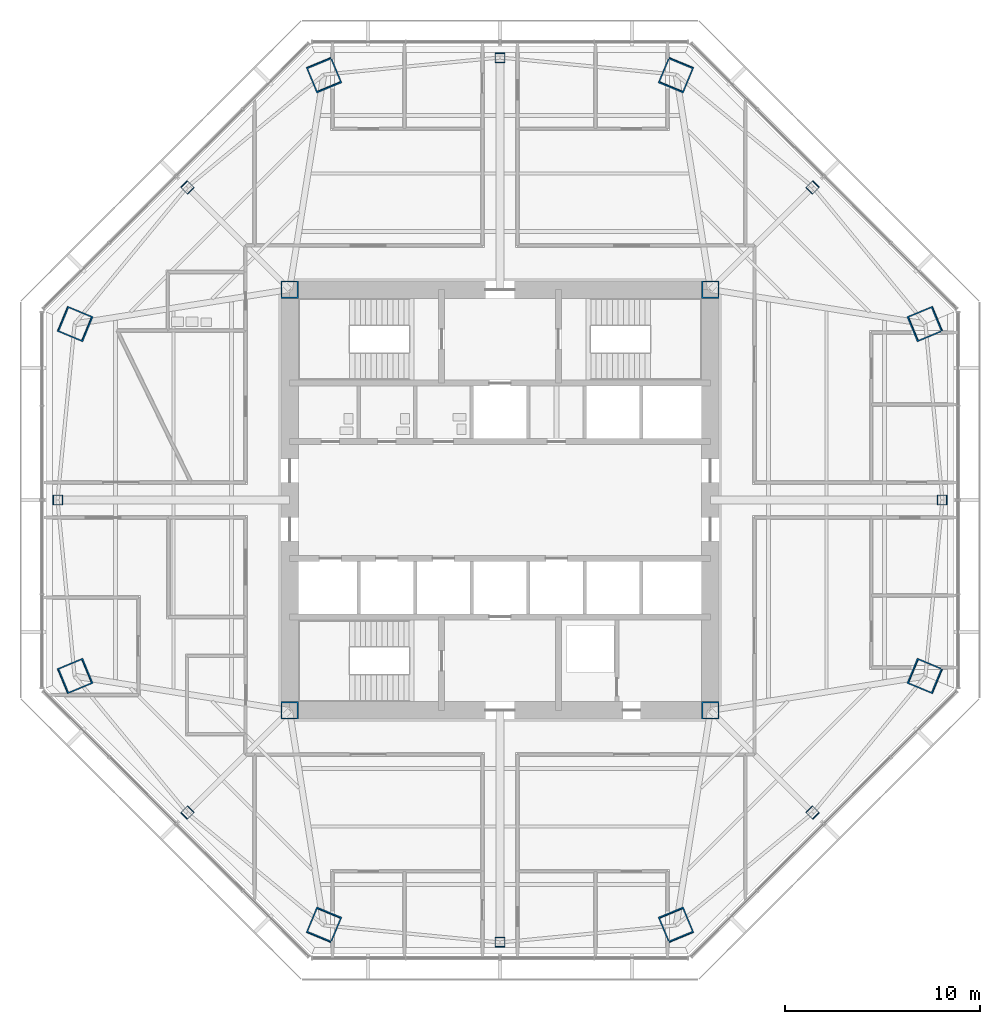
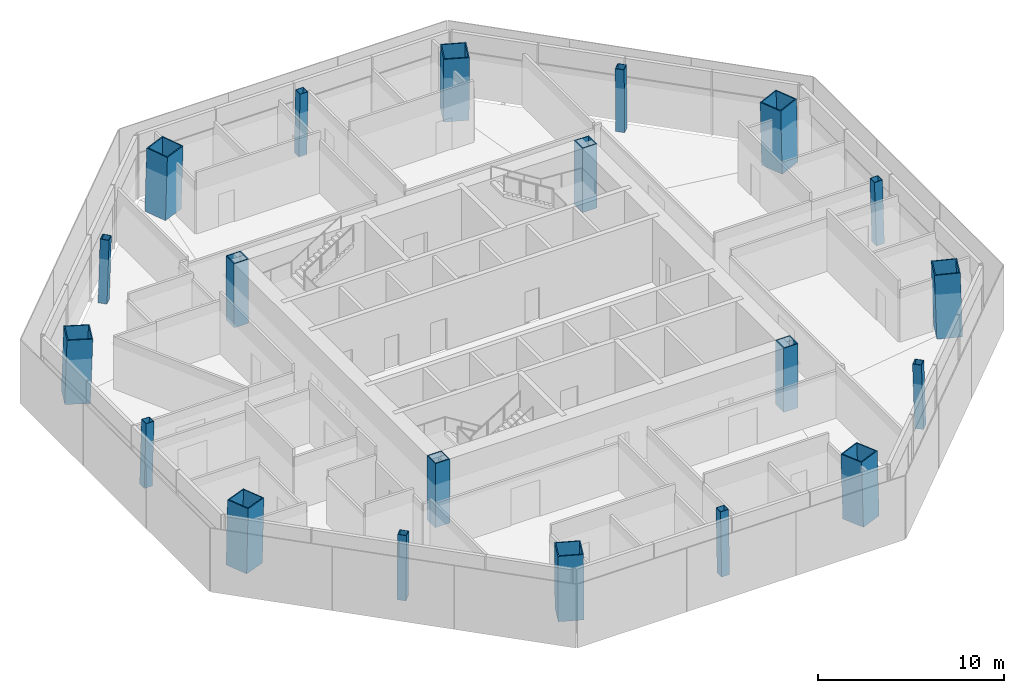
# One storey, part 1 of 15: 20 columns.
"""IFC4 building model written with IfcOpenShell, lengths in metres."""

from ifc_helpers import new_model, si_unit, direction, frame, origin, origin_2d, place, context, subcontext, project, spatial, hollow_rectangle, extrude, material, material_profile, profile_set, type_object, element, save


model = new_model("IFC4")

# Units and contexts
model_context = context("Model", 3, precision=1e-05, world=origin(), true_north=direction((0.0, 1.0)))
body_context = subcontext(model_context, "Body", "Model", "MODEL_VIEW")
ifc_project = project(units=[si_unit("LENGTHUNIT", "METRE"), si_unit("AREAUNIT", "SQUARE_METRE"), si_unit("VOLUMEUNIT", "CUBIC_METRE"), si_unit("PLANEANGLEUNIT", "RADIAN"), si_unit("MASSUNIT", "GRAM", prefix="KILO")], contexts=[model_context])

# Site, building, storey
site_placement = place(None, origin())
site = spatial("IfcSite", under=ifc_project, at=site_placement, CompositionType="ELEMENT")
building_placement = place(site_placement, origin())
building = spatial("IfcBuilding", under=site, at=building_placement, Name="Mashrafa Tower", CompositionType="ELEMENT")
storey_placement = place(building_placement, frame((0.0, 0.0, 159.60009765625)))
storey = spatial("IfcBuildingStorey", under=building, at=storey_placement, Name="L36", CompositionType="ELEMENT", Elevation=159.60009765625)

# Columns
ifc_material_1 = material(Name="Steel ASTM A572 Gr 50", Category="steel")
ifc_material_profile_1 = material_profile(ifc_material_1, hollow_rectangle(XDim=0.89990234375, YDim=0.89990234375, WallThickness=0.06005859375, at=origin_2d()), Name="BOX900X900X60")
ifc_profile_set_1 = profile_set([ifc_material_profile_1], Name="Steel ASTM A572 Gr 50")
column_type_1 = type_object("IfcColumnType", Name="Core corner column BOX900X900X60", PredefinedType="COLUMN", material=ifc_profile_set_1)
for number, where, z_axis, x_axis, name in (
    (1, (10.800048828125, 10.800048828125, 0.0), (0.0, 0.0, 1.0), (1.0, 0.0, 0.0), "Core corner column CC-NE L36"),
    (2, (-10.800048828125, 10.800048828125, 0.0), (0.0, 0.0, 1.0), (1.0, 0.0, 0.0), "Core corner column CC-NW L36"),
    (3, (-10.800048828125, -10.800048828125, 0.0), (0.0, 0.0, 1.0), (1.0, 0.0, 0.0), "Core corner column CC-SW L36"),
    (4, (10.800048828125, -10.800048828125, 0.0), (0.0, 0.0, 1.0), (1.0, 0.0, 0.0), "Core corner column CC-SE L36"),
):
    element("IfcColumn", number, at=place(storey_placement, frame(where, z_axis=z_axis, x_axis=x_axis)), inside=storey, type_object=column_type_1, Name=name, PredefinedType="COLUMN", context=body_context, shape_type="SweptSolid", body=[
        extrude(hollow_rectangle(XDim=0.89990234375, YDim=0.89990234375, WallThickness=0.06005859375, at=origin_2d()), origin(), (0.0, 0.0, 1.0), 4.199951171875),
    ])
ifc_material_2 = material(Name="Steel ASTM A572 Gr 50", Category="steel")
ifc_material_profile_2 = material_profile(ifc_material_2, hollow_rectangle(XDim=1.39990234375, YDim=1.39990234375, WallThickness=0.06494140625, at=origin_2d()), Name="BOX1400X1400X65")
ifc_profile_set_2 = profile_set([ifc_material_profile_2], Name="Steel ASTM A572 Gr 50")
column_type_2 = type_object("IfcColumnType", Name="Mega column CFST BOX1400X1400X65", PredefinedType="COLUMN", material=ifc_profile_set_2)
for number, where, z_axis, x_axis, name in (
    (5, (21.821533203125, 9.038818359375, 0.0), (-0.028237674468, -0.01173664659, 0.999532333078), (0.38380575713, -0.923413851312, 0.0), "Mega column MC1 L36"),
    (6, (9.038818359375, 21.821533203125, 0.0), (-0.01173664659, -0.028237674468, 0.999532333078), (0.923413851312, -0.38380575713, 0.0), "Mega column MC2 L36"),
    (7, (-9.038818359375, 21.821533203125, 0.0), (0.01173664659, -0.028237674468, 0.999532333078), (0.923413851312, 0.38380575713, 0.0), "Mega column MC3 L36"),
    (8, (-21.821533203125, 9.038818359375, 0.0), (0.028237674468, -0.01173664659, 0.999532333078), (0.38380575713, 0.923413851312, 0.0), "Mega column MC4 L36"),
    (9, (-21.821533203125, -9.038818359375, 0.0), (0.028237674468, 0.01173664659, 0.999532333078), (-0.38380575713, 0.923413851312, 0.0), "Mega column MC5 L36"),
    (10, (-9.038818359375, -21.821533203125, 0.0), (0.01173664659, 0.028237674468, 0.999532333078), (-0.923413851312, 0.38380575713, 0.0), "Mega column MC6 L36"),
    (11, (9.038818359375, -21.821533203125, 0.0), (-0.01173664659, 0.028237674468, 0.999532333078), (-0.923413851312, -0.38380575713, 0.0), "Mega column MC7 L36"),
    (12, (21.821533203125, -9.038818359375, 0.0), (-0.028237674468, 0.01173664659, 0.999532333078), (-0.38380575713, -0.923413851312, 0.0), "Mega column MC8 L36"),
):
    element("IfcColumn", number, at=place(storey_placement, frame(where, z_axis=z_axis, x_axis=x_axis)), inside=storey, type_object=column_type_2, Name=name, PredefinedType="COLUMN", context=body_context, shape_type="SweptSolid", body=[
        extrude(hollow_rectangle(XDim=1.39990234375, YDim=1.39990234375, WallThickness=0.06494140625, at=origin_2d()), origin(), (0.0, 0.0, 1.0), 4.201904296875),
    ])
ifc_material_3 = material(Name="Steel ASTM A572 Gr 50", Category="steel")
ifc_material_profile_3 = material_profile(ifc_material_3, hollow_rectangle(XDim=0.5, YDim=0.5, WallThickness=0.02490234375, at=origin_2d()), Name="BOX500X500X25")
ifc_profile_set_3 = profile_set([ifc_material_profile_3], Name="Steel ASTM A572 Gr 50")
column_type_3 = type_object("IfcColumnType", Name="Secondary column BOX500X500X25", PredefinedType="COLUMN", material=ifc_profile_set_3)
for number, where, z_axis, x_axis, name in (
    (13, (22.699951171875, 0.0, 0.0), (-0.028297679255, 0.0, 0.99959954049), (0.0, -1.0, 0.0), "Secondary column SC1 L36"),
    (14, (16.05126953125, 16.05126953125, 0.0), (-0.019988521213, -0.019988521213, 0.999600379171), (0.707106781187, -0.707106781187, 0.0), "Secondary column SC2 L36"),
    (15, (0.0, 22.699951171875, 0.0), (0.0, -0.028297679255, 0.99959954049), (1.0, 0.0, 0.0), "Secondary column SC3 L36"),
    (16, (-16.05126953125, 16.05126953125, 0.0), (0.019988521213, -0.019988521213, 0.999600379171), (0.707106781187, 0.707106781187, 0.0), "Secondary column SC4 L36"),
    (17, (-22.699951171875, 0.0, 0.0), (0.028297679255, 0.0, 0.99959954049), (0.0, 1.0, 0.0), "Secondary column SC5 L36"),
    (18, (-16.05126953125, -16.05126953125, 0.0), (0.019988521213, 0.019988521213, 0.999600379171), (-0.707106781187, 0.707106781187, 0.0), "Secondary column SC6 L36"),
    (19, (0.0, -22.699951171875, 0.0), (0.0, 0.028297679255, 0.99959954049), (-1.0, 0.0, 0.0), "Secondary column SC7 L36"),
    (20, (16.05126953125, -16.05126953125, 0.0), (-0.019988521213, 0.019988521213, 0.999600379171), (-0.707106781187, -0.707106781187, 0.0), "Secondary column SC8 L36"),
):
    element("IfcColumn", number, at=place(storey_placement, frame(where, z_axis=z_axis, x_axis=x_axis)), inside=storey, type_object=column_type_3, Name=name, PredefinedType="COLUMN", context=body_context, shape_type="SweptSolid", body=[
        extrude(hollow_rectangle(XDim=0.5, YDim=0.5, WallThickness=0.02490234375, at=origin_2d()), origin(), (0.0, 0.0, 1.0), 4.20166015625),
    ])

save(model, "model.ifc")
